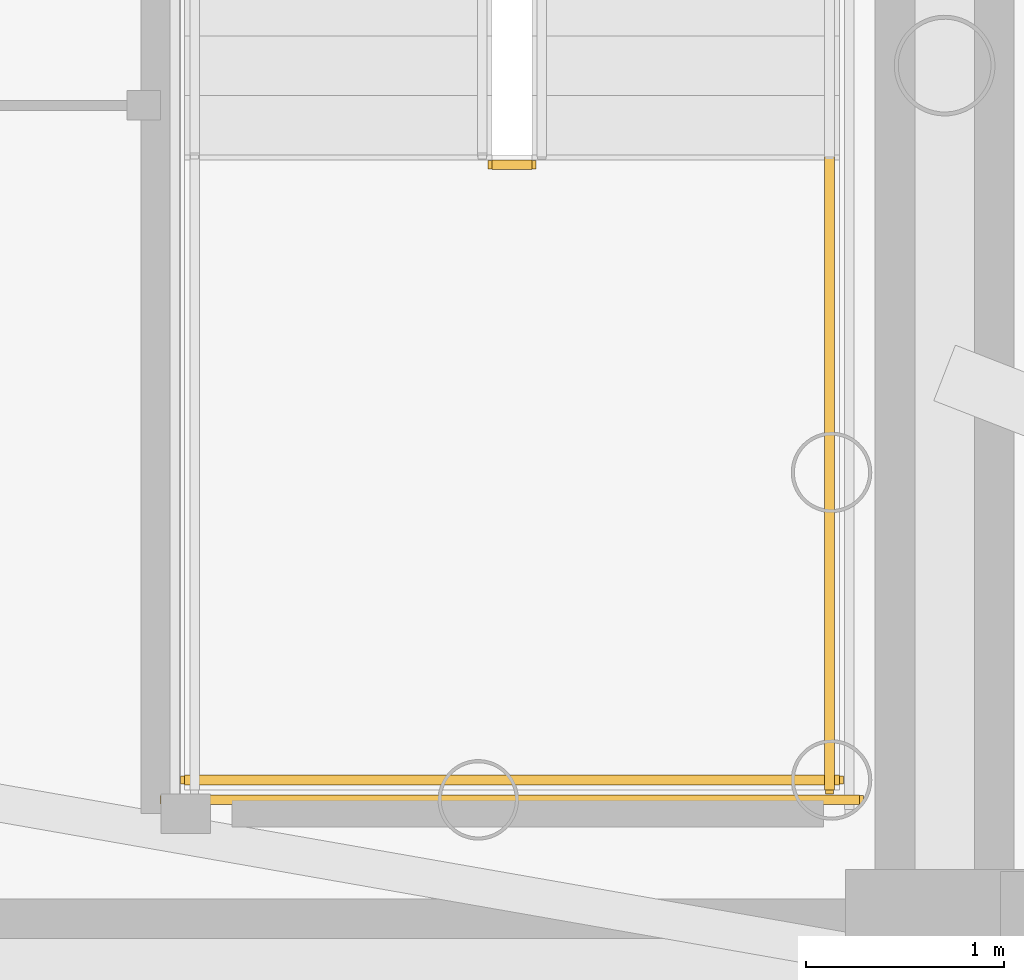
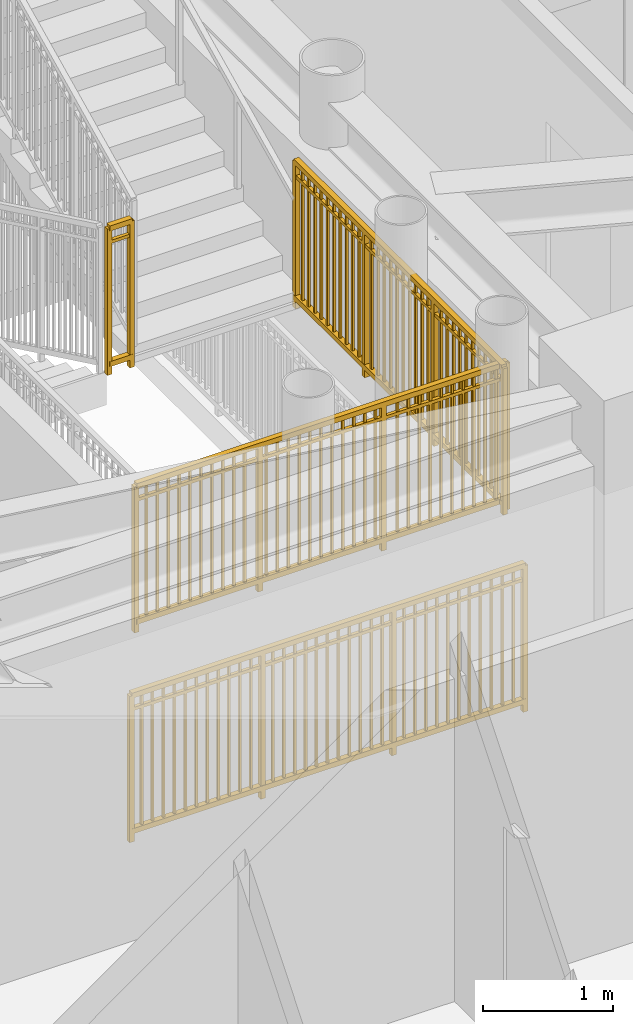
# One storey, part 11 of 17: 4 railings.
"""IFC4 building model written with IfcOpenShell, lengths in metres."""

from ifc_helpers import new_model, si_unit, direction, frame, origin, origin_2d, place, context, subcontext, project, spatial, rectangle, extrude, source, transform, mapped, material, type_object, element, save


model = new_model("IFC4")

# Units and contexts
model_context = context("Model", 3, precision=1e-05, world=origin(), true_north=direction((0.0, 1.0)))
body_context = subcontext(model_context, "Body", "Model", "MODEL_VIEW")
ifc_project = project(units=[si_unit("LENGTHUNIT", "METRE"), si_unit("AREAUNIT", "SQUARE_METRE"), si_unit("VOLUMEUNIT", "CUBIC_METRE"), si_unit("PLANEANGLEUNIT", "RADIAN"), si_unit("MASSUNIT", "GRAM", prefix="KILO")], contexts=[model_context])

# Site, building, storey
site_placement = place(None, origin())
site = spatial("IfcSite", under=ifc_project, at=site_placement, CompositionType="ELEMENT")
building_placement = place(site_placement, origin())
building = spatial("IfcBuilding", under=site, at=building_placement, Name="Linh Dai School and Residence Tower", CompositionType="ELEMENT")
storey_placement = place(building_placement, frame((0.0, 0.0, 303.0)))
storey = spatial("IfcBuildingStorey", under=building, at=storey_placement, Name="L75", CompositionType="ELEMENT", Elevation=303.0)

# Railings
ifc_material = material(Name="Structural Steel S355JR", Category="steel")
railing_type = type_object("IfcRailingType", Name="RL-ST-GUARD-1400", PredefinedType="GUARDRAIL", material=ifc_material)
shared_shape_1 = source(origin(), body_context, "Body", "SweptSolid", [
    extrude(rectangle(XDim=0.048095703125, YDim=0.048095703125, at=origin_2d()), frame((0.0, 0.0, 1.3759765625), z_axis=(1.0, 0.0, 0.0), x_axis=(0.0, 1.0, 0.0)), (0.0, 0.0, 1.0), 0.199951171875),
    extrude(rectangle(XDim=0.048095703125, YDim=0.048095703125, at=origin_2d()), frame((0.0, 0.0, 0.10009765625), z_axis=(1.0, 0.0, 0.0), x_axis=(0.0, 1.0, 0.0)), (0.0, 0.0, 1.0), 0.199951171875),
    extrude(rectangle(XDim=0.030029296875, YDim=0.030029296875, at=origin_2d()), frame((0.0, 0.0, 1.239990234375), z_axis=(1.0, 0.0, 0.0), x_axis=(0.0, 1.0, 0.0)), (0.0, 0.0, 1.0), 0.199951171875),
    extrude(rectangle(XDim=0.0419921875, YDim=0.0419921875, at=origin_2d()), origin(), (0.0, 0.0, 1.0), 1.3759765625),
    extrude(rectangle(XDim=0.0419921875, YDim=0.0419921875, at=origin_2d()), frame((0.199951171875, 0.0, 0.0)), (0.0, 0.0, 1.0), 1.3759765625),
])
railing_1_placement = place(storey_placement, frame((42.570068359375, 24.60009765625, 1.875)))
element("IfcRailing", 1, at=railing_1_placement, inside=storey, type_object=railing_type, Name="L75 ST2 stair guard 2", PredefinedType="GUARDRAIL", context=body_context, shape_type="MappedRepresentation", body=[
    mapped(shared_shape_1, transform((0.0, 0.0, 0.0), x_axis=(1.0, 0.0, 0.0), y_axis=(0.0, 1.0, 0.0), z_axis=(0.0, 0.0, 1.0), scale=1.0)),
])
shared_shape_2 = source(origin(), body_context, "Body", "SweptSolid", [
    extrude(rectangle(XDim=0.048095703125, YDim=0.048095703125, at=origin_2d()), frame((0.0, 0.0, 1.3759765625), z_axis=(1.0, 0.0, 0.0), x_axis=(0.0, 1.0, 0.0)), (0.0, 0.0, 1.0), 3.300048828125),
    extrude(rectangle(XDim=0.048095703125, YDim=0.048095703125, at=origin_2d()), frame((0.0, 0.0, 0.10009765625), z_axis=(1.0, 0.0, 0.0), x_axis=(0.0, 1.0, 0.0)), (0.0, 0.0, 1.0), 3.300048828125),
    extrude(rectangle(XDim=0.030029296875, YDim=0.030029296875, at=origin_2d()), frame((0.0, 0.0, 1.239990234375), z_axis=(1.0, 0.0, 0.0), x_axis=(0.0, 1.0, 0.0)), (0.0, 0.0, 1.0), 3.300048828125),
    extrude(rectangle(XDim=0.02001953125, YDim=0.02001953125, at=origin_2d()), frame((0.09716796875, 0.0, 0.10009765625)), (0.0, 0.0, 1.0), 1.251708984375),
    extrude(rectangle(XDim=0.02001953125, YDim=0.02001953125, at=origin_2d()), frame((0.194091796875, 0.0, 0.10009765625)), (0.0, 0.0, 1.0), 1.251708984375),
    extrude(rectangle(XDim=0.02001953125, YDim=0.02001953125, at=origin_2d()), frame((0.291259765625, 0.0, 0.10009765625)), (0.0, 0.0, 1.0), 1.251708984375),
    extrude(rectangle(XDim=0.02001953125, YDim=0.02001953125, at=origin_2d()), frame((0.38818359375, 0.0, 0.10009765625)), (0.0, 0.0, 1.0), 1.251708984375),
    extrude(rectangle(XDim=0.02001953125, YDim=0.02001953125, at=origin_2d()), frame((0.4853515625, 0.0, 0.10009765625)), (0.0, 0.0, 1.0), 1.251708984375),
    extrude(rectangle(XDim=0.02001953125, YDim=0.02001953125, at=origin_2d()), frame((0.582275390625, 0.0, 0.10009765625)), (0.0, 0.0, 1.0), 1.251708984375),
    extrude(rectangle(XDim=0.02001953125, YDim=0.02001953125, at=origin_2d()), frame((0.679443359375, 0.0, 0.10009765625)), (0.0, 0.0, 1.0), 1.251708984375),
    extrude(rectangle(XDim=0.02001953125, YDim=0.02001953125, at=origin_2d()), frame((0.7763671875, 0.0, 0.10009765625)), (0.0, 0.0, 1.0), 1.251708984375),
    extrude(rectangle(XDim=0.02001953125, YDim=0.02001953125, at=origin_2d()), frame((0.87353515625, 0.0, 0.10009765625)), (0.0, 0.0, 1.0), 1.251708984375),
    extrude(rectangle(XDim=0.02001953125, YDim=0.02001953125, at=origin_2d()), frame((0.970703125, 0.0, 0.10009765625)), (0.0, 0.0, 1.0), 1.251708984375),
    extrude(rectangle(XDim=0.02001953125, YDim=0.02001953125, at=origin_2d()), frame((1.164794921875, 0.0, 0.10009765625)), (0.0, 0.0, 1.0), 1.251708984375),
    extrude(rectangle(XDim=0.02001953125, YDim=0.02001953125, at=origin_2d()), frame((1.26171875, 0.0, 0.10009765625)), (0.0, 0.0, 1.0), 1.251708984375),
    extrude(rectangle(XDim=0.02001953125, YDim=0.02001953125, at=origin_2d()), frame((1.35888671875, 0.0, 0.10009765625)), (0.0, 0.0, 1.0), 1.251708984375),
    extrude(rectangle(XDim=0.02001953125, YDim=0.02001953125, at=origin_2d()), frame((1.455810546875, 0.0, 0.10009765625)), (0.0, 0.0, 1.0), 1.251708984375),
    extrude(rectangle(XDim=0.02001953125, YDim=0.02001953125, at=origin_2d()), frame((1.552978515625, 0.0, 0.10009765625)), (0.0, 0.0, 1.0), 1.251708984375),
    extrude(rectangle(XDim=0.02001953125, YDim=0.02001953125, at=origin_2d()), frame((1.64990234375, 0.0, 0.10009765625)), (0.0, 0.0, 1.0), 1.251708984375),
    extrude(rectangle(XDim=0.02001953125, YDim=0.02001953125, at=origin_2d()), frame((1.7470703125, 0.0, 0.10009765625)), (0.0, 0.0, 1.0), 1.251708984375),
    extrude(rectangle(XDim=0.02001953125, YDim=0.02001953125, at=origin_2d()), frame((1.84423828125, 0.0, 0.10009765625)), (0.0, 0.0, 1.0), 1.251708984375),
    extrude(rectangle(XDim=0.02001953125, YDim=0.02001953125, at=origin_2d()), frame((1.941162109375, 0.0, 0.10009765625)), (0.0, 0.0, 1.0), 1.251708984375),
    extrude(rectangle(XDim=0.02001953125, YDim=0.02001953125, at=origin_2d()), frame((2.038330078125, 0.0, 0.10009765625)), (0.0, 0.0, 1.0), 1.251708984375),
    extrude(rectangle(XDim=0.02001953125, YDim=0.02001953125, at=origin_2d()), frame((2.13525390625, 0.0, 0.10009765625)), (0.0, 0.0, 1.0), 1.251708984375),
    extrude(rectangle(XDim=0.02001953125, YDim=0.02001953125, at=origin_2d()), frame((2.329345703125, 0.0, 0.10009765625)), (0.0, 0.0, 1.0), 1.251708984375),
    extrude(rectangle(XDim=0.02001953125, YDim=0.02001953125, at=origin_2d()), frame((2.426513671875, 0.0, 0.10009765625)), (0.0, 0.0, 1.0), 1.251708984375),
    extrude(rectangle(XDim=0.02001953125, YDim=0.02001953125, at=origin_2d()), frame((2.523681640625, 0.0, 0.10009765625)), (0.0, 0.0, 1.0), 1.251708984375),
    extrude(rectangle(XDim=0.02001953125, YDim=0.02001953125, at=origin_2d()), frame((2.62060546875, 0.0, 0.10009765625)), (0.0, 0.0, 1.0), 1.251708984375),
    extrude(rectangle(XDim=0.02001953125, YDim=0.02001953125, at=origin_2d()), frame((2.7177734375, 0.0, 0.10009765625)), (0.0, 0.0, 1.0), 1.251708984375),
    extrude(rectangle(XDim=0.02001953125, YDim=0.02001953125, at=origin_2d()), frame((2.814697265625, 0.0, 0.10009765625)), (0.0, 0.0, 1.0), 1.251708984375),
    extrude(rectangle(XDim=0.02001953125, YDim=0.02001953125, at=origin_2d()), frame((2.911865234375, 0.0, 0.10009765625)), (0.0, 0.0, 1.0), 1.251708984375),
    extrude(rectangle(XDim=0.02001953125, YDim=0.02001953125, at=origin_2d()), frame((3.0087890625, 0.0, 0.10009765625)), (0.0, 0.0, 1.0), 1.251708984375),
    extrude(rectangle(XDim=0.02001953125, YDim=0.02001953125, at=origin_2d()), frame((3.10595703125, 0.0, 0.10009765625)), (0.0, 0.0, 1.0), 1.251708984375),
    extrude(rectangle(XDim=0.02001953125, YDim=0.02001953125, at=origin_2d()), frame((3.202880859375, 0.0, 0.10009765625)), (0.0, 0.0, 1.0), 1.251708984375),
    extrude(rectangle(XDim=0.0419921875, YDim=0.0419921875, at=origin_2d()), origin(), (0.0, 0.0, 1.0), 1.3759765625),
    extrude(rectangle(XDim=0.0419921875, YDim=0.0419921875, at=origin_2d()), frame((1.10009765625, 0.0, 0.0)), (0.0, 0.0, 1.0), 1.3759765625),
    extrude(rectangle(XDim=0.0419921875, YDim=0.0419921875, at=origin_2d()), frame((2.199951171875, 0.0, 0.0)), (0.0, 0.0, 1.0), 1.3759765625),
    extrude(rectangle(XDim=0.0419921875, YDim=0.0419921875, at=origin_2d()), frame((3.300048828125, 0.0, 0.0)), (0.0, 0.0, 1.0), 1.3759765625),
])
railing_2_placement = place(storey_placement, frame((41.02001953125, 21.5, 1.875)))
element("IfcRailing", 2, at=railing_2_placement, inside=storey, type_object=railing_type, Name="L75 ST2 stair guard 5", PredefinedType="GUARDRAIL", context=body_context, shape_type="MappedRepresentation", body=[
    mapped(shared_shape_2, transform((0.0, 0.0, 0.0), x_axis=(1.0, 0.0, 0.0), y_axis=(0.0, 1.0, 0.0), z_axis=(0.0, 0.0, 1.0), scale=1.0)),
])
shared_shape_3 = source(origin(), body_context, "Body", "SweptSolid", [
    extrude(rectangle(XDim=0.048095703125, YDim=0.048095703125, at=origin_2d()), frame((0.0, 0.0, 1.3759765625), z_axis=(1.0, 0.0, 0.0), x_axis=(0.0, 1.0, 0.0)), (0.0, 0.0, 1.0), 3.5),
    extrude(rectangle(XDim=0.048095703125, YDim=0.048095703125, at=origin_2d()), frame((0.0, 0.0, 0.10009765625), z_axis=(1.0, 0.0, 0.0), x_axis=(0.0, 1.0, 0.0)), (0.0, 0.0, 1.0), 3.5),
    extrude(rectangle(XDim=0.030029296875, YDim=0.030029296875, at=origin_2d()), frame((0.0, 0.0, 1.239990234375), z_axis=(1.0, 0.0, 0.0), x_axis=(0.0, 1.0, 0.0)), (0.0, 0.0, 1.0), 3.5),
    extrude(rectangle(XDim=0.02001953125, YDim=0.02001953125, at=origin_2d()), frame((0.09716796875, 0.0, 0.10009765625)), (0.0, 0.0, 1.0), 1.251708984375),
    extrude(rectangle(XDim=0.02001953125, YDim=0.02001953125, at=origin_2d()), frame((0.1943359375, 0.0, 0.10009765625)), (0.0, 0.0, 1.0), 1.251708984375),
    extrude(rectangle(XDim=0.02001953125, YDim=0.02001953125, at=origin_2d()), frame((0.291748046875, 0.0, 0.10009765625)), (0.0, 0.0, 1.0), 1.251708984375),
    extrude(rectangle(XDim=0.02001953125, YDim=0.02001953125, at=origin_2d()), frame((0.388916015625, 0.0, 0.10009765625)), (0.0, 0.0, 1.0), 1.251708984375),
    extrude(rectangle(XDim=0.02001953125, YDim=0.02001953125, at=origin_2d()), frame((0.486083984375, 0.0, 0.10009765625)), (0.0, 0.0, 1.0), 1.251708984375),
    extrude(rectangle(XDim=0.02001953125, YDim=0.02001953125, at=origin_2d()), frame((0.583251953125, 0.0, 0.10009765625)), (0.0, 0.0, 1.0), 1.251708984375),
    extrude(rectangle(XDim=0.02001953125, YDim=0.02001953125, at=origin_2d()), frame((0.6806640625, 0.0, 0.10009765625)), (0.0, 0.0, 1.0), 1.251708984375),
    extrude(rectangle(XDim=0.02001953125, YDim=0.02001953125, at=origin_2d()), frame((0.77783203125, 0.0, 0.10009765625)), (0.0, 0.0, 1.0), 1.251708984375),
    extrude(rectangle(XDim=0.02001953125, YDim=0.02001953125, at=origin_2d()), frame((0.875, 0.0, 0.10009765625)), (0.0, 0.0, 1.0), 1.251708984375),
    extrude(rectangle(XDim=0.02001953125, YDim=0.02001953125, at=origin_2d()), frame((0.97216796875, 0.0, 0.10009765625)), (0.0, 0.0, 1.0), 1.251708984375),
    extrude(rectangle(XDim=0.02001953125, YDim=0.02001953125, at=origin_2d()), frame((1.0693359375, 0.0, 0.10009765625)), (0.0, 0.0, 1.0), 1.251708984375),
    extrude(rectangle(XDim=0.02001953125, YDim=0.02001953125, at=origin_2d()), frame((1.263916015625, 0.0, 0.10009765625)), (0.0, 0.0, 1.0), 1.251708984375),
    extrude(rectangle(XDim=0.02001953125, YDim=0.02001953125, at=origin_2d()), frame((1.361083984375, 0.0, 0.10009765625)), (0.0, 0.0, 1.0), 1.251708984375),
    extrude(rectangle(XDim=0.02001953125, YDim=0.02001953125, at=origin_2d()), frame((1.458251953125, 0.0, 0.10009765625)), (0.0, 0.0, 1.0), 1.251708984375),
    extrude(rectangle(XDim=0.02001953125, YDim=0.02001953125, at=origin_2d()), frame((1.5556640625, 0.0, 0.10009765625)), (0.0, 0.0, 1.0), 1.251708984375),
    extrude(rectangle(XDim=0.02001953125, YDim=0.02001953125, at=origin_2d()), frame((1.65283203125, 0.0, 0.10009765625)), (0.0, 0.0, 1.0), 1.251708984375),
    extrude(rectangle(XDim=0.02001953125, YDim=0.02001953125, at=origin_2d()), frame((1.75, 0.0, 0.10009765625)), (0.0, 0.0, 1.0), 1.251708984375),
    extrude(rectangle(XDim=0.02001953125, YDim=0.02001953125, at=origin_2d()), frame((1.84716796875, 0.0, 0.10009765625)), (0.0, 0.0, 1.0), 1.251708984375),
    extrude(rectangle(XDim=0.02001953125, YDim=0.02001953125, at=origin_2d()), frame((1.9443359375, 0.0, 0.10009765625)), (0.0, 0.0, 1.0), 1.251708984375),
    extrude(rectangle(XDim=0.02001953125, YDim=0.02001953125, at=origin_2d()), frame((2.041748046875, 0.0, 0.10009765625)), (0.0, 0.0, 1.0), 1.251708984375),
    extrude(rectangle(XDim=0.02001953125, YDim=0.02001953125, at=origin_2d()), frame((2.138916015625, 0.0, 0.10009765625)), (0.0, 0.0, 1.0), 1.251708984375),
    extrude(rectangle(XDim=0.02001953125, YDim=0.02001953125, at=origin_2d()), frame((2.236083984375, 0.0, 0.10009765625)), (0.0, 0.0, 1.0), 1.251708984375),
    extrude(rectangle(XDim=0.02001953125, YDim=0.02001953125, at=origin_2d()), frame((2.4306640625, 0.0, 0.10009765625)), (0.0, 0.0, 1.0), 1.251708984375),
    extrude(rectangle(XDim=0.02001953125, YDim=0.02001953125, at=origin_2d()), frame((2.52783203125, 0.0, 0.10009765625)), (0.0, 0.0, 1.0), 1.251708984375),
    extrude(rectangle(XDim=0.02001953125, YDim=0.02001953125, at=origin_2d()), frame((2.625, 0.0, 0.10009765625)), (0.0, 0.0, 1.0), 1.251708984375),
    extrude(rectangle(XDim=0.02001953125, YDim=0.02001953125, at=origin_2d()), frame((2.72216796875, 0.0, 0.10009765625)), (0.0, 0.0, 1.0), 1.251708984375),
    extrude(rectangle(XDim=0.02001953125, YDim=0.02001953125, at=origin_2d()), frame((2.8193359375, 0.0, 0.10009765625)), (0.0, 0.0, 1.0), 1.251708984375),
    extrude(rectangle(XDim=0.02001953125, YDim=0.02001953125, at=origin_2d()), frame((2.916748046875, 0.0, 0.10009765625)), (0.0, 0.0, 1.0), 1.251708984375),
    extrude(rectangle(XDim=0.02001953125, YDim=0.02001953125, at=origin_2d()), frame((3.013916015625, 0.0, 0.10009765625)), (0.0, 0.0, 1.0), 1.251708984375),
    extrude(rectangle(XDim=0.02001953125, YDim=0.02001953125, at=origin_2d()), frame((3.111083984375, 0.0, 0.10009765625)), (0.0, 0.0, 1.0), 1.251708984375),
    extrude(rectangle(XDim=0.02001953125, YDim=0.02001953125, at=origin_2d()), frame((3.208251953125, 0.0, 0.10009765625)), (0.0, 0.0, 1.0), 1.251708984375),
    extrude(rectangle(XDim=0.02001953125, YDim=0.02001953125, at=origin_2d()), frame((3.3056640625, 0.0, 0.10009765625)), (0.0, 0.0, 1.0), 1.251708984375),
    extrude(rectangle(XDim=0.02001953125, YDim=0.02001953125, at=origin_2d()), frame((3.40283203125, 0.0, 0.10009765625)), (0.0, 0.0, 1.0), 1.251708984375),
    extrude(rectangle(XDim=0.0419921875, YDim=0.0419921875, at=origin_2d()), origin(), (0.0, 0.0, 1.0), 1.3759765625),
    extrude(rectangle(XDim=0.0419921875, YDim=0.0419921875, at=origin_2d()), frame((1.166748046875, 0.0, 0.0)), (0.0, 0.0, 1.0), 1.3759765625),
    extrude(rectangle(XDim=0.0419921875, YDim=0.0419921875, at=origin_2d()), frame((2.333251953125, 0.0, 0.0)), (0.0, 0.0, 1.0), 1.3759765625),
    extrude(rectangle(XDim=0.0419921875, YDim=0.0419921875, at=origin_2d()), frame((3.5, 0.0, 0.0)), (0.0, 0.0, 1.0), 1.3759765625),
])
railing_3_placement = place(storey_placement, frame((40.919921875, 21.39990234375, 0.0)))
element("IfcRailing", 3, at=railing_3_placement, inside=storey, type_object=railing_type, Name="L75 ST2 stair guard 12", PredefinedType="GUARDRAIL", context=body_context, shape_type="MappedRepresentation", body=[
    mapped(shared_shape_3, transform((0.0, 0.0, 0.0), x_axis=(1.0, 0.0, 0.0), y_axis=(0.0, 1.0, 0.0), z_axis=(0.0, 0.0, 1.0), scale=1.0)),
])
shared_shape_4 = source(origin(), body_context, "Body", "SweptSolid", [
    extrude(rectangle(XDim=0.048095703125, YDim=0.048095703125, at=origin_2d()), frame((0.0, 0.0, 1.3759765625), z_axis=(0.0, -1.0, 0.0), x_axis=(1.0, 0.0, 0.0)), (0.0, 0.0, 1.0), 3.199951171875),
    extrude(rectangle(XDim=0.048095703125, YDim=0.048095703125, at=origin_2d()), frame((0.0, 0.0, 0.10009765625), z_axis=(0.0, -1.0, 0.0), x_axis=(1.0, 0.0, 0.0)), (0.0, 0.0, 1.0), 3.199951171875),
    extrude(rectangle(XDim=0.030029296875, YDim=0.030029296875, at=origin_2d()), frame((0.0, 0.0, 1.239990234375), z_axis=(0.0, -1.0, 0.0), x_axis=(1.0, 0.0, 0.0)), (0.0, 0.0, 1.0), 3.199951171875),
    extrude(rectangle(XDim=0.02001953125, YDim=0.02001953125, at=origin_2d()), frame((0.0, -0.096923828125, 0.10009765625)), (0.0, 0.0, 1.0), 1.251708984375),
    extrude(rectangle(XDim=0.02001953125, YDim=0.02001953125, at=origin_2d()), frame((0.0, -0.19384765625, 0.10009765625)), (0.0, 0.0, 1.0), 1.251708984375),
    extrude(rectangle(XDim=0.02001953125, YDim=0.02001953125, at=origin_2d()), frame((0.0, -0.291015625, 0.10009765625)), (0.0, 0.0, 1.0), 1.251708984375),
    extrude(rectangle(XDim=0.02001953125, YDim=0.02001953125, at=origin_2d()), frame((0.0, -0.387939453125, 0.10009765625)), (0.0, 0.0, 1.0), 1.251708984375),
    extrude(rectangle(XDim=0.02001953125, YDim=0.02001953125, at=origin_2d()), frame((0.0, -0.48486328125, 0.10009765625)), (0.0, 0.0, 1.0), 1.251708984375),
    extrude(rectangle(XDim=0.02001953125, YDim=0.02001953125, at=origin_2d()), frame((0.0, -0.581787109375, 0.10009765625)), (0.0, 0.0, 1.0), 1.251708984375),
    extrude(rectangle(XDim=0.02001953125, YDim=0.02001953125, at=origin_2d()), frame((0.0, -0.6787109375, 0.10009765625)), (0.0, 0.0, 1.0), 1.251708984375),
    extrude(rectangle(XDim=0.02001953125, YDim=0.02001953125, at=origin_2d()), frame((0.0, -0.775634765625, 0.10009765625)), (0.0, 0.0, 1.0), 1.251708984375),
    extrude(rectangle(XDim=0.02001953125, YDim=0.02001953125, at=origin_2d()), frame((0.0, -0.872802734375, 0.10009765625)), (0.0, 0.0, 1.0), 1.251708984375),
    extrude(rectangle(XDim=0.02001953125, YDim=0.02001953125, at=origin_2d()), frame((0.0, -0.9697265625, 0.10009765625)), (0.0, 0.0, 1.0), 1.251708984375),
    extrude(rectangle(XDim=0.02001953125, YDim=0.02001953125, at=origin_2d()), frame((0.0, -1.16357421875, 0.10009765625)), (0.0, 0.0, 1.0), 1.251708984375),
    extrude(rectangle(XDim=0.02001953125, YDim=0.02001953125, at=origin_2d()), frame((0.0, -1.260498046875, 0.10009765625)), (0.0, 0.0, 1.0), 1.251708984375),
    extrude(rectangle(XDim=0.02001953125, YDim=0.02001953125, at=origin_2d()), frame((0.0, -1.357666015625, 0.10009765625)), (0.0, 0.0, 1.0), 1.251708984375),
    extrude(rectangle(XDim=0.02001953125, YDim=0.02001953125, at=origin_2d()), frame((0.0, -1.45458984375, 0.10009765625)), (0.0, 0.0, 1.0), 1.251708984375),
    extrude(rectangle(XDim=0.02001953125, YDim=0.02001953125, at=origin_2d()), frame((0.0, -1.551513671875, 0.10009765625)), (0.0, 0.0, 1.0), 1.251708984375),
    extrude(rectangle(XDim=0.02001953125, YDim=0.02001953125, at=origin_2d()), frame((0.0, -1.6484375, 0.10009765625)), (0.0, 0.0, 1.0), 1.251708984375),
    extrude(rectangle(XDim=0.02001953125, YDim=0.02001953125, at=origin_2d()), frame((0.0, -1.745361328125, 0.10009765625)), (0.0, 0.0, 1.0), 1.251708984375),
    extrude(rectangle(XDim=0.02001953125, YDim=0.02001953125, at=origin_2d()), frame((0.0, -1.84228515625, 0.10009765625)), (0.0, 0.0, 1.0), 1.251708984375),
    extrude(rectangle(XDim=0.02001953125, YDim=0.02001953125, at=origin_2d()), frame((0.0, -1.939453125, 0.10009765625)), (0.0, 0.0, 1.0), 1.251708984375),
    extrude(rectangle(XDim=0.02001953125, YDim=0.02001953125, at=origin_2d()), frame((0.0, -2.036376953125, 0.10009765625)), (0.0, 0.0, 1.0), 1.251708984375),
    extrude(rectangle(XDim=0.02001953125, YDim=0.02001953125, at=origin_2d()), frame((0.0, -2.230224609375, 0.10009765625)), (0.0, 0.0, 1.0), 1.251708984375),
    extrude(rectangle(XDim=0.02001953125, YDim=0.02001953125, at=origin_2d()), frame((0.0, -2.3271484375, 0.10009765625)), (0.0, 0.0, 1.0), 1.251708984375),
    extrude(rectangle(XDim=0.02001953125, YDim=0.02001953125, at=origin_2d()), frame((0.0, -2.42431640625, 0.10009765625)), (0.0, 0.0, 1.0), 1.251708984375),
    extrude(rectangle(XDim=0.02001953125, YDim=0.02001953125, at=origin_2d()), frame((0.0, -2.521240234375, 0.10009765625)), (0.0, 0.0, 1.0), 1.251708984375),
    extrude(rectangle(XDim=0.02001953125, YDim=0.02001953125, at=origin_2d()), frame((0.0, -2.6181640625, 0.10009765625)), (0.0, 0.0, 1.0), 1.251708984375),
    extrude(rectangle(XDim=0.02001953125, YDim=0.02001953125, at=origin_2d()), frame((0.0, -2.715087890625, 0.10009765625)), (0.0, 0.0, 1.0), 1.251708984375),
    extrude(rectangle(XDim=0.02001953125, YDim=0.02001953125, at=origin_2d()), frame((0.0, -2.81201171875, 0.10009765625)), (0.0, 0.0, 1.0), 1.251708984375),
    extrude(rectangle(XDim=0.02001953125, YDim=0.02001953125, at=origin_2d()), frame((0.0, -2.908935546875, 0.10009765625)), (0.0, 0.0, 1.0), 1.251708984375),
    extrude(rectangle(XDim=0.02001953125, YDim=0.02001953125, at=origin_2d()), frame((0.0, -3.006103515625, 0.10009765625)), (0.0, 0.0, 1.0), 1.251708984375),
    extrude(rectangle(XDim=0.02001953125, YDim=0.02001953125, at=origin_2d()), frame((0.0, -3.10302734375, 0.10009765625)), (0.0, 0.0, 1.0), 1.251708984375),
    extrude(rectangle(XDim=0.0419921875, YDim=0.0419921875, at=origin_2d()), origin(), (0.0, 0.0, 1.0), 1.3759765625),
    extrude(rectangle(XDim=0.0419921875, YDim=0.0419921875, at=origin_2d()), frame((0.0, -1.066650390625, 0.0)), (0.0, 0.0, 1.0), 1.3759765625),
    extrude(rectangle(XDim=0.0419921875, YDim=0.0419921875, at=origin_2d()), frame((0.0, -2.13330078125, 0.0)), (0.0, 0.0, 1.0), 1.3759765625),
    extrude(rectangle(XDim=0.0419921875, YDim=0.0419921875, at=origin_2d()), frame((0.0, -3.199951171875, 0.0)), (0.0, 0.0, 1.0), 1.3759765625),
])
railing_4_placement = place(storey_placement, frame((44.27001953125, 24.64990234375, 1.875)))
element("IfcRailing", 4, at=railing_4_placement, inside=storey, type_object=railing_type, Name="L75 ST2 stair guard 4", PredefinedType="GUARDRAIL", context=body_context, shape_type="MappedRepresentation", body=[
    mapped(shared_shape_4, transform((0.0, 0.0, 0.0), x_axis=(1.0, 0.0, 0.0), y_axis=(0.0, 1.0, 0.0), z_axis=(0.0, 0.0, 1.0), scale=1.0)),
])

save(model, "model.ifc")
